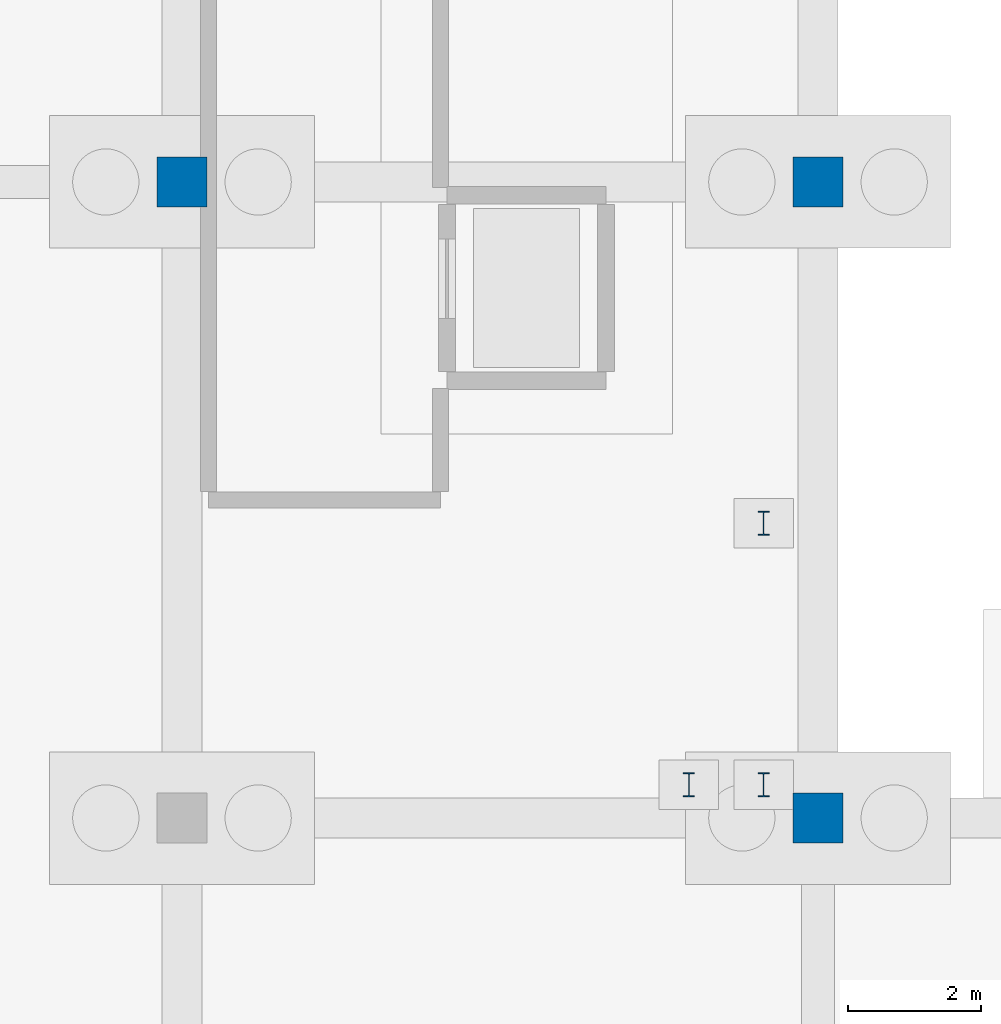
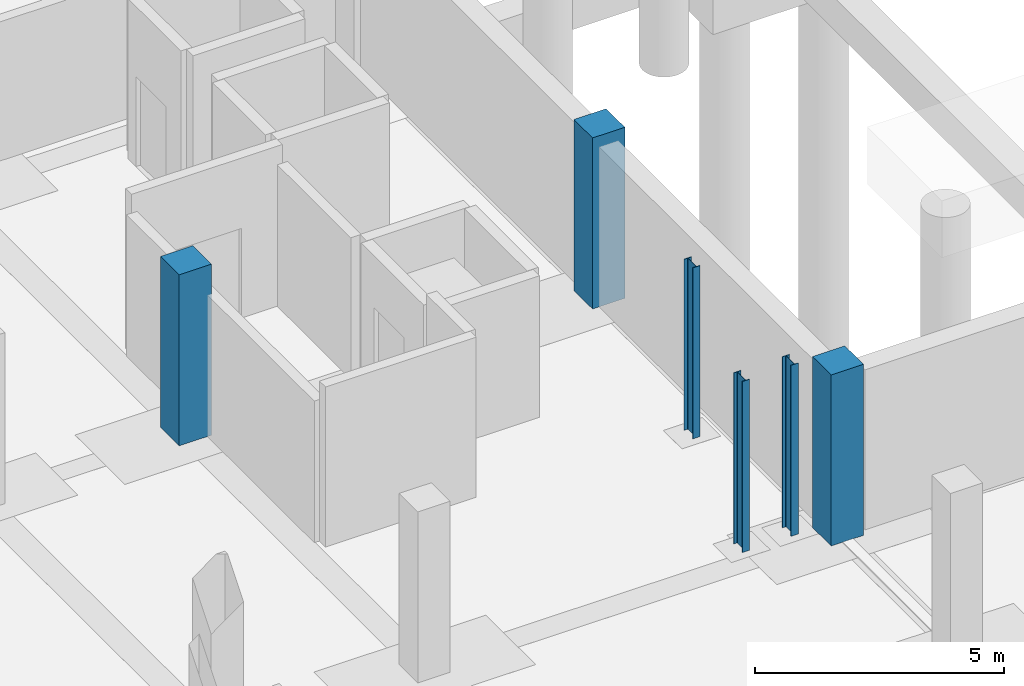
# One storey, part 21 of 54: 6 columns.
"""IFC4 building model written with IfcOpenShell, lengths in metres."""

from ifc_helpers import new_model, si_unit, direction, frame, origin, origin_2d, place, context, subcontext, project, spatial, rectangle, i_section, extrude, material, material_profile, profile_set, type_object, element, save


model = new_model("IFC4")

# Units and contexts
model_context = context("Model", 3, precision=1e-05, world=origin(), true_north=direction((0.0, 1.0)))
body_context = subcontext(model_context, "Body", "Model", "MODEL_VIEW")
ifc_project = project(units=[si_unit("LENGTHUNIT", "METRE"), si_unit("AREAUNIT", "SQUARE_METRE"), si_unit("VOLUMEUNIT", "CUBIC_METRE"), si_unit("PLANEANGLEUNIT", "RADIAN"), si_unit("MASSUNIT", "GRAM", prefix="KILO")], contexts=[model_context])

# Site, building, storey
site_placement = place(None, origin())
site = spatial("IfcSite", under=ifc_project, at=site_placement, CompositionType="ELEMENT")
building_placement = place(site_placement, origin())
building = spatial("IfcBuilding", under=site, at=building_placement, Name="Zevrakil Square Congress Hotel", CompositionType="ELEMENT")
storey_placement = place(building_placement, frame((0.0, 0.0, -8.39990234375)))
storey = spatial("IfcBuildingStorey", under=building, at=storey_placement, Name="B2", CompositionType="ELEMENT", Elevation=-8.39990234375)

# Columns
ifc_material_1 = material(Name="Steel S355", Category="steel")
ifc_material_profile_1 = material_profile(ifc_material_1, i_section(OverallWidth=0.169921875, OverallDepth=0.360107421875, WebThickness=0.008056640625, FlangeThickness=0.0126953125, FilletRadius=0.01806640625, at=origin_2d()), Name="IPE 360")
ifc_profile_set_1 = profile_set([ifc_material_profile_1], Name="Steel S355")
column_type_1 = type_object("IfcColumnType", Name="COL-PILASTER-SHS180", PredefinedType="PILASTER", material=ifc_profile_set_1)
for number, where, z_axis, x_axis, name in (
    (1, (115.64990234375, 46.10009765625, 0.0), (0.0, 0.0, 1.0), (1.0, 0.0, 0.0), "B2 ST07 stair shaft post 1"),
    (2, (116.780029296875, 46.10009765625, 0.0), (0.0, 0.0, 1.0), (1.0, 0.0, 0.0), "B2 ST07 stair shaft post 2"),
    (3, (116.780029296875, 50.050048828125, 0.0), (0.0, 0.0, 1.0), (1.0, 0.0, 0.0), "B2 ST07 stair shaft post 3"),
):
    element("IfcColumn", number, at=place(storey_placement, frame(where, z_axis=z_axis, x_axis=x_axis)), inside=storey, type_object=column_type_1, Name=name, PredefinedType="PILASTER", context=body_context, shape_type="SweptSolid", body=[
        extrude(i_section(OverallWidth=0.169921875, OverallDepth=0.360107421875, WebThickness=0.008056640625, FlangeThickness=0.0126953125, FilletRadius=0.01806640625, at=origin_2d()), origin(), (0.0, 0.0, 1.0), 4.199951171875),
    ])
ifc_material_2 = material(Name="Concrete C40/50", Category="concrete")
ifc_material_profile_2 = material_profile(ifc_material_2, rectangle(XDim=0.75, YDim=0.75, at=origin_2d()), Name="RC 750x750")
ifc_profile_set_2 = profile_set([ifc_material_profile_2], Name="Concrete C40/50")
column_type_2 = type_object("IfcColumnType", Name="COL-RC750", PredefinedType="COLUMN", material=ifc_profile_set_2)
for number, where, z_axis, x_axis, name in (
    (4, (108.0, 55.199951171875, 0.0), (0.0, 0.0, 1.0), (1.0, 0.0, 0.0), "B2 column C-169"),
    (5, (117.60009765625, 45.60009765625, 0.0), (0.0, 0.0, 1.0), (1.0, 0.0, 0.0), "B2 column C-186"),
    (6, (117.60009765625, 55.199951171875, 0.0), (0.0, 0.0, 1.0), (1.0, 0.0, 0.0), "B2 column C-187"),
):
    element("IfcColumn", number, at=place(storey_placement, frame(where, z_axis=z_axis, x_axis=x_axis)), inside=storey, type_object=column_type_2, Name=name, PredefinedType="COLUMN", context=body_context, shape_type="SweptSolid", body=[
        extrude(rectangle(XDim=0.75, YDim=0.75, at=origin_2d()), origin(), (0.0, 0.0, 1.0), 4.199951171875),
    ])

save(model, "model.ifc")
